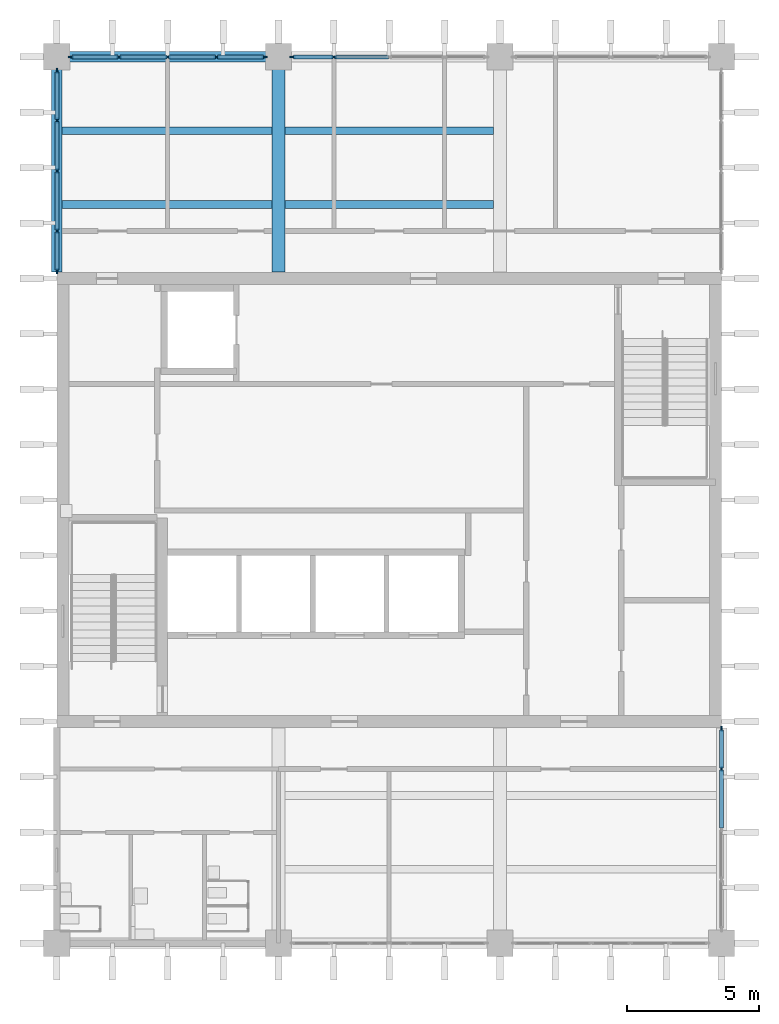
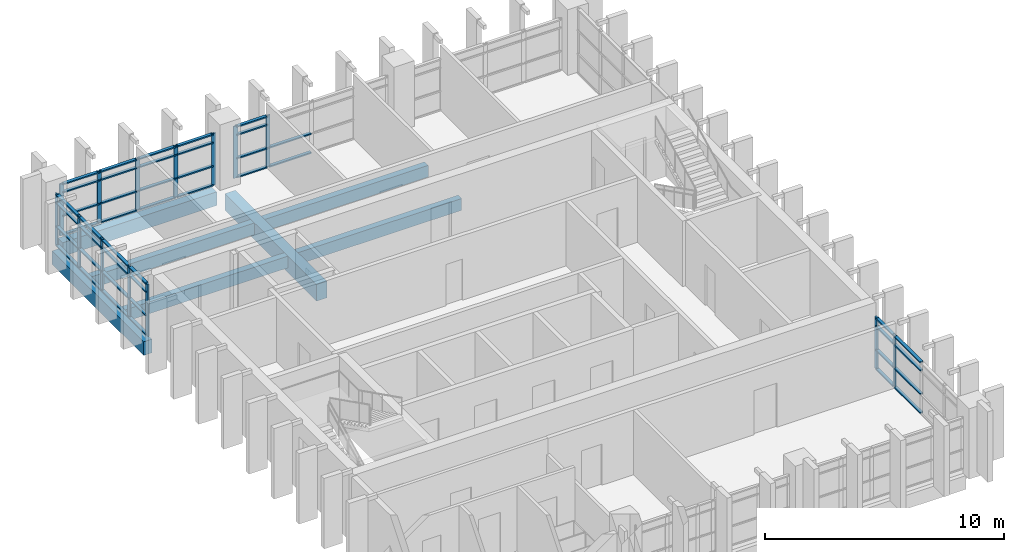
# One storey, part 3 of 11: 60 members, 7 beams, 4 elements without a shape of their own.
"""IFC4 building model written with IfcOpenShell, lengths in metres."""

from ifc_helpers import new_model, si_unit, direction, frame, origin, origin_2d, place, context, subcontext, project, spatial, rectangle, extrude, material, layer, layer_set, material_profile, profile_set, type_object, element, aggregate, save


model = new_model("IFC4")

# Units and contexts
model_context = context("Model", 3, precision=1e-05, world=origin(), true_north=direction((0.0, 1.0)))
body_context = subcontext(model_context, "Body", "Model", "MODEL_VIEW")
ifc_project = project(units=[si_unit("LENGTHUNIT", "METRE"), si_unit("AREAUNIT", "SQUARE_METRE"), si_unit("VOLUMEUNIT", "CUBIC_METRE"), si_unit("PLANEANGLEUNIT", "RADIAN"), si_unit("MASSUNIT", "GRAM", prefix="KILO")], contexts=[model_context])

# Site, building, storey
site_placement = place(None, origin())
site = spatial("IfcSite", under=ifc_project, at=site_placement, CompositionType="ELEMENT")
building_placement = place(site_placement, origin())
building = spatial("IfcBuilding", under=site, at=building_placement, Name="Rulbaag Community and Learning Centre", CompositionType="ELEMENT")
storey_placement = place(building_placement, frame((0.0, 0.0, 18.0)))
storey = spatial("IfcBuildingStorey", under=building, at=storey_placement, Name="L04", CompositionType="ELEMENT", Elevation=18.0)

# Beams
ifc_material_1 = material(Name="Concrete M40", Category="concrete")
ifc_material_profile_1 = material_profile(ifc_material_1, rectangle(XDim=0.39990234375, YDim=0.699951171875, at=origin_2d()), Name="RB400x700")
ifc_profile_set_1 = profile_set([ifc_material_profile_1], Name="Concrete M40")
beam_type_1 = type_object("IfcBeamType", Name="B17 Tower edge beam, lower zone 400x700 Concrete M40", PredefinedType="BEAM", material=ifc_profile_set_1)
beam_1_placement = place(storey_placement, frame((142.800048828125, 109.449951171875, -0.60009765625), z_axis=(0.0, 1.0, 0.0), x_axis=(-1.0, 0.0, 0.0)))
element("IfcBeam", 1, at=beam_1_placement, inside=storey, type_object=beam_type_1, Name="BM-L04-18N-18O", PredefinedType="BEAM", context=body_context, shape_type="SweptSolid", body=[
    extrude(rectangle(XDim=0.39990234375, YDim=0.699951171875, at=origin_2d()), origin(), (0.0, 0.0, 1.0), 7.670166015625),
])
beam_2_placement = place(storey_placement, frame((143.280029296875, 117.60009765625, -0.60009765625), z_axis=(1.0, 0.0, 0.0), x_axis=(0.0, 1.0, 0.0)))
element("IfcBeam", 2, at=beam_2_placement, inside=storey, type_object=beam_type_1, Name="BM-L04-18O-19O", PredefinedType="BEAM", context=body_context, shape_type="SweptSolid", body=[
    extrude(rectangle(XDim=0.39990234375, YDim=0.699951171875, at=origin_2d()), origin(), (0.0, 0.0, 1.0), 7.43994140625),
])
ifc_material_profile_2 = material_profile(ifc_material_1, rectangle(XDim=0.5, YDim=0.85009765625, at=origin_2d()), Name="RB500x850")
ifc_profile_set_2 = profile_set([ifc_material_profile_2], Name="Concrete M40")
beam_type_2 = type_object("IfcBeamType", Name="B18 Core-framing beam, lower zone 500x850 Concrete M40", PredefinedType="BEAM", material=ifc_profile_set_2)
beam_3_placement = place(storey_placement, frame((151.199951171875, 109.449951171875, -0.675048828125), z_axis=(0.0, 1.0, 0.0), x_axis=(-1.0, 0.0, 0.0)))
element("IfcBeam", 3, at=beam_3_placement, inside=storey, type_object=beam_type_2, Name="BM-L04-19N-19O", PredefinedType="BEAM", context=body_context, shape_type="SweptSolid", body=[
    extrude(rectangle(XDim=0.5, YDim=0.85009765625, at=origin_2d()), origin(), (0.0, 0.0, 1.0), 7.670166015625),
])
ifc_material_profile_3 = material_profile(ifc_material_1, rectangle(XDim=0.300048828125, YDim=0.60009765625, at=origin_2d()), Name="RB300x600")
ifc_profile_set_3 = profile_set([ifc_material_profile_3], Name="Concrete M40")
beam_type_3 = type_object("IfcBeamType", Name="B30 Secondary joist 300x600 Concrete M40", PredefinedType="BEAM", material=ifc_profile_set_3)
for number, where, z_axis, x_axis, name in (
    (4, (143.0, 112.0, -0.550048828125), (1.0, 0.0, 0.0), (0.0, 1.0, 0.0), "BM-JS-L04-18N-1"),
    (5, (143.0, 114.800048828125, -0.550048828125), (1.0, 0.0, 0.0), (0.0, 1.0, 0.0), "BM-JS-L04-18N-2"),
):
    element("IfcBeam", number, at=place(storey_placement, frame(where, z_axis=z_axis, x_axis=x_axis)), inside=storey, type_object=beam_type_3, Name=name, PredefinedType="BEAM", context=body_context, shape_type="SweptSolid", body=[
        extrude(rectangle(XDim=0.300048828125, YDim=0.60009765625, at=origin_2d()), origin(), (0.0, 0.0, 1.0), 7.949951171875),
    ])
for number, where, z_axis, x_axis, name in (
    (6, (151.449951171875, 112.0, -0.550048828125), (1.0, 0.0, 0.0), (0.0, 1.0, 0.0), "BM-JS-L04-19N-1"),
    (7, (151.449951171875, 114.800048828125, -0.550048828125), (1.0, 0.0, 0.0), (0.0, 1.0, 0.0), "BM-JS-L04-19N-2"),
):
    element("IfcBeam", number, at=place(storey_placement, frame(where, z_axis=z_axis, x_axis=x_axis)), inside=storey, type_object=beam_type_3, Name=name, PredefinedType="BEAM", context=body_context, shape_type="SweptSolid", body=[
        extrude(rectangle(XDim=0.300048828125, YDim=0.60009765625, at=origin_2d()), origin(), (0.0, 0.0, 1.0), 7.900146484375),
    ])

# Curtain wall, members
ifc_material_2 = material(Name="Aluminium", Category="aluminium")
ifc_layer = layer(ifc_material_2, 0.14990234375)
ifc_layer_set = layer_set([ifc_layer], Name="CW-T")
curtain_wall_type = type_object("IfcCurtainWallType", Name="CW-T", PredefinedType="USERDEFINED", material=ifc_layer_set)
curtain_wall_1_placement = place(storey_placement, origin())
curtain_wall_1 = element("IfcCurtainWall", 8, at=curtain_wall_1_placement, inside=storey, type_object=curtain_wall_type, Name="GT-L04-01", ObjectType="UNITISED CURTAIN WALL", PredefinedType="USERDEFINED")
ifc_material_3 = material(Name="Aluminium mullion", Category="aluminium")
ifc_material_profile_4 = material_profile(ifc_material_3, rectangle(XDim=0.06494140625, YDim=0.199951171875, at=origin_2d()), Name="AL 65x200")
ifc_profile_set_4 = profile_set([ifc_material_profile_4], Name="Aluminium mullion")
member_type_1 = type_object("IfcMemberType", Name="CW-T-MUL", PredefinedType="MULLION", material=ifc_profile_set_4)
member_1_placement = place(storey_placement, frame((143.33251953125, 117.60009765625, 0.0), z_axis=(0.0, 0.0, 1.0), x_axis=(0.0, 1.0, 0.0)))
member_1 = element("IfcMember", 9, at=member_1_placement, type_object=member_type_1, Name="GT mullion 1", PredefinedType="MULLION", context=body_context, shape_type="SweptSolid", body=[
    extrude(rectangle(XDim=0.06494140625, YDim=0.199951171875, at=origin_2d()), origin(), (0.0, 0.0, 1.0), 2.64990234375),
])
member_2_placement = place(storey_placement, frame((145.14990234375, 117.60009765625, 0.0), z_axis=(0.0, 0.0, 1.0), x_axis=(0.0, 1.0, 0.0)))
member_2 = element("IfcMember", 10, at=member_2_placement, type_object=member_type_1, Name="GT mullion 2", PredefinedType="MULLION", context=body_context, shape_type="SweptSolid", body=[
    extrude(rectangle(XDim=0.06494140625, YDim=0.199951171875, at=origin_2d()), origin(), (0.0, 0.0, 1.0), 2.64990234375),
])
member_3_placement = place(storey_placement, frame((147.0, 117.60009765625, 0.0), z_axis=(0.0, 0.0, 1.0), x_axis=(0.0, 1.0, 0.0)))
member_3 = element("IfcMember", 11, at=member_3_placement, type_object=member_type_1, Name="GT mullion 3", PredefinedType="MULLION", context=body_context, shape_type="SweptSolid", body=[
    extrude(rectangle(XDim=0.06494140625, YDim=0.199951171875, at=origin_2d()), origin(), (0.0, 0.0, 1.0), 2.64990234375),
])
member_4_placement = place(storey_placement, frame((148.85009765625, 117.60009765625, 0.0), z_axis=(0.0, 0.0, 1.0), x_axis=(0.0, 1.0, 0.0)))
member_4 = element("IfcMember", 12, at=member_4_placement, type_object=member_type_1, Name="GT mullion 4", PredefinedType="MULLION", context=body_context, shape_type="SweptSolid", body=[
    extrude(rectangle(XDim=0.06494140625, YDim=0.199951171875, at=origin_2d()), origin(), (0.0, 0.0, 1.0), 2.64990234375),
])
member_5_placement = place(storey_placement, frame((150.66748046875, 117.60009765625, 0.0), z_axis=(0.0, 0.0, 1.0), x_axis=(0.0, 1.0, 0.0)))
member_5 = element("IfcMember", 13, at=member_5_placement, type_object=member_type_1, Name="GT mullion 5", PredefinedType="MULLION", context=body_context, shape_type="SweptSolid", body=[
    extrude(rectangle(XDim=0.06494140625, YDim=0.199951171875, at=origin_2d()), origin(), (0.0, 0.0, 1.0), 2.64990234375),
])

curtain_wall_2_placement = place(storey_placement, origin())
curtain_wall_2 = element("IfcCurtainWall", 14, at=curtain_wall_2_placement, inside=storey, type_object=curtain_wall_type, Name="GT-L04-02", ObjectType="UNITISED CURTAIN WALL", PredefinedType="USERDEFINED")
member_6_placement = place(storey_placement, frame((151.732421875, 117.60009765625, 0.0), z_axis=(0.0, 0.0, 1.0), x_axis=(0.0, 1.0, 0.0)))
member_6 = element("IfcMember", 15, at=member_6_placement, type_object=member_type_1, Name="GT mullion 1", PredefinedType="MULLION", context=body_context, shape_type="SweptSolid", body=[
    extrude(rectangle(XDim=0.06494140625, YDim=0.199951171875, at=origin_2d()), origin(), (0.0, 0.0, 1.0), 2.64990234375),
])
member_7_placement = place(storey_placement, frame((153.300048828125, 117.60009765625, 0.0), z_axis=(0.0, 0.0, 1.0), x_axis=(0.0, 1.0, 0.0)))
member_7 = element("IfcMember", 16, at=member_7_placement, type_object=member_type_1, Name="GT mullion 2", PredefinedType="MULLION", context=body_context, shape_type="SweptSolid", body=[
    extrude(rectangle(XDim=0.06494140625, YDim=0.199951171875, at=origin_2d()), origin(), (0.0, 0.0, 1.0), 2.64990234375),
])

curtain_wall_3_placement = place(storey_placement, origin())
curtain_wall_3 = element("IfcCurtainWall", 17, at=curtain_wall_3_placement, inside=storey, type_object=curtain_wall_type, Name="GT-L04-04", ObjectType="UNITISED CURTAIN WALL", PredefinedType="USERDEFINED")
member_8_placement = place(storey_placement, frame((142.800048828125, 109.482421875, 0.0), z_axis=(0.0, 0.0, 1.0), x_axis=(-1.0, 0.0, 0.0)))
member_8 = element("IfcMember", 18, at=member_8_placement, type_object=member_type_1, Name="GT mullion 1", PredefinedType="MULLION", context=body_context, shape_type="SweptSolid", body=[
    extrude(rectangle(XDim=0.06494140625, YDim=0.199951171875, at=origin_2d()), origin(), (0.0, 0.0, 1.0), 2.64990234375),
])
member_9_placement = place(storey_placement, frame((142.800048828125, 111.0, 0.0), z_axis=(0.0, 0.0, 1.0), x_axis=(-1.0, 0.0, 0.0)))
member_9 = element("IfcMember", 19, at=member_9_placement, type_object=member_type_1, Name="GT mullion 2", PredefinedType="MULLION", context=body_context, shape_type="SweptSolid", body=[
    extrude(rectangle(XDim=0.06494140625, YDim=0.199951171875, at=origin_2d()), origin(), (0.0, 0.0, 1.0), 2.64990234375),
])
member_10_placement = place(storey_placement, frame((142.800048828125, 113.27490234375, 0.0), z_axis=(0.0, 0.0, 1.0), x_axis=(-1.0, 0.0, 0.0)))
member_10 = element("IfcMember", 20, at=member_10_placement, type_object=member_type_1, Name="GT mullion 3", PredefinedType="MULLION", context=body_context, shape_type="SweptSolid", body=[
    extrude(rectangle(XDim=0.06494140625, YDim=0.199951171875, at=origin_2d()), origin(), (0.0, 0.0, 1.0), 2.64990234375),
])
member_11_placement = place(storey_placement, frame((142.800048828125, 115.1875, 0.0), z_axis=(0.0, 0.0, 1.0), x_axis=(-1.0, 0.0, 0.0)))
member_11 = element("IfcMember", 21, at=member_11_placement, type_object=member_type_1, Name="GT mullion 4", PredefinedType="MULLION", context=body_context, shape_type="SweptSolid", body=[
    extrude(rectangle(XDim=0.06494140625, YDim=0.199951171875, at=origin_2d()), origin(), (0.0, 0.0, 1.0), 2.64990234375),
])
member_12_placement = place(storey_placement, frame((142.800048828125, 117.0673828125, 0.0), z_axis=(0.0, 0.0, 1.0), x_axis=(-1.0, 0.0, 0.0)))
member_12 = element("IfcMember", 22, at=member_12_placement, type_object=member_type_1, Name="GT mullion 5", PredefinedType="MULLION", context=body_context, shape_type="SweptSolid", body=[
    extrude(rectangle(XDim=0.06494140625, YDim=0.199951171875, at=origin_2d()), origin(), (0.0, 0.0, 1.0), 2.64990234375),
])

curtain_wall_4_placement = place(storey_placement, origin())
curtain_wall_4 = element("IfcCurtainWall", 23, at=curtain_wall_4_placement, inside=storey, type_object=curtain_wall_type, Name="GT-L04-05", ObjectType="UNITISED CURTAIN WALL", PredefinedType="USERDEFINED")
member_13_placement = place(storey_placement, frame((168.0, 90.60009765625, 0.0), z_axis=(0.0, 0.0, 1.0), x_axis=(-1.0, 0.0, 0.0)))
member_13 = element("IfcMember", 24, at=member_13_placement, type_object=member_type_1, Name="GT mullion 4", PredefinedType="MULLION", context=body_context, shape_type="SweptSolid", body=[
    extrude(rectangle(XDim=0.06494140625, YDim=0.199951171875, at=origin_2d()), origin(), (0.0, 0.0, 1.0), 2.64990234375),
])
member_14_placement = place(storey_placement, frame((168.0, 92.117431640625, 0.0), z_axis=(0.0, 0.0, 1.0), x_axis=(-1.0, 0.0, 0.0)))
member_14 = element("IfcMember", 25, at=member_14_placement, type_object=member_type_1, Name="GT mullion 5", PredefinedType="MULLION", context=body_context, shape_type="SweptSolid", body=[
    extrude(rectangle(XDim=0.06494140625, YDim=0.199951171875, at=origin_2d()), origin(), (0.0, 0.0, 1.0), 2.64990234375),
])

# Member
ifc_material_4 = material(Name="Aluminium transom", Category="aluminium")
ifc_material_profile_5 = material_profile(ifc_material_4, rectangle(XDim=0.14990234375, YDim=0.06494140625, at=origin_2d()), Name="AL 65x150 T")
ifc_profile_set_5 = profile_set([ifc_material_profile_5], Name="Aluminium transom")
member_type_2 = type_object("IfcMemberType", Name="CW-T-TRN", PredefinedType="USERDEFINED", material=ifc_profile_set_5)
member_15_placement = place(storey_placement, frame((143.364990234375, 117.60009765625, 0.032470703125), z_axis=(1.0, 0.0, 0.0), x_axis=(0.0, 1.0, 0.0)))
member_15 = element("IfcMember", 26, at=member_15_placement, type_object=member_type_2, Name="GT transom 1.1", ObjectType="TRANSOM", PredefinedType="USERDEFINED", context=body_context, shape_type="SweptSolid", body=[
    extrude(rectangle(XDim=0.14990234375, YDim=0.06494140625, at=origin_2d()), origin(), (0.0, 0.0, 1.0), 1.75244140625),
])

member_16_placement = place(storey_placement, frame((143.364990234375, 117.60009765625, 1.0), z_axis=(1.0, 0.0, 0.0), x_axis=(0.0, 1.0, 0.0)))
member_16 = element("IfcMember", 27, at=member_16_placement, type_object=member_type_2, Name="GT transom 1.2", ObjectType="TRANSOM", PredefinedType="USERDEFINED", context=body_context, shape_type="SweptSolid", body=[
    extrude(rectangle(XDim=0.14990234375, YDim=0.06494140625, at=origin_2d()), origin(), (0.0, 0.0, 1.0), 1.75244140625),
])

member_17_placement = place(storey_placement, frame((143.364990234375, 117.60009765625, 2.199951171875), z_axis=(1.0, 0.0, 0.0), x_axis=(0.0, 1.0, 0.0)))
member_17 = element("IfcMember", 28, at=member_17_placement, type_object=member_type_2, Name="GT transom 1.3", ObjectType="TRANSOM", PredefinedType="USERDEFINED", context=body_context, shape_type="SweptSolid", body=[
    extrude(rectangle(XDim=0.14990234375, YDim=0.06494140625, at=origin_2d()), origin(), (0.0, 0.0, 1.0), 1.75244140625),
])

member_18_placement = place(storey_placement, frame((143.364990234375, 117.60009765625, 2.617431640625), z_axis=(1.0, 0.0, 0.0), x_axis=(0.0, 1.0, 0.0)))
member_18 = element("IfcMember", 29, at=member_18_placement, type_object=member_type_2, Name="GT transom 1.4", ObjectType="TRANSOM", PredefinedType="USERDEFINED", context=body_context, shape_type="SweptSolid", body=[
    extrude(rectangle(XDim=0.14990234375, YDim=0.06494140625, at=origin_2d()), origin(), (0.0, 0.0, 1.0), 1.75244140625),
])

member_19_placement = place(storey_placement, frame((145.1826171875, 117.60009765625, 0.032470703125), z_axis=(1.0, 0.0, 0.0), x_axis=(0.0, 1.0, 0.0)))
member_19 = element("IfcMember", 30, at=member_19_placement, type_object=member_type_2, Name="GT transom 2.1", ObjectType="TRANSOM", PredefinedType="USERDEFINED", context=body_context, shape_type="SweptSolid", body=[
    extrude(rectangle(XDim=0.14990234375, YDim=0.06494140625, at=origin_2d()), origin(), (0.0, 0.0, 1.0), 1.784912109375),
])

member_20_placement = place(storey_placement, frame((145.1826171875, 117.60009765625, 1.0), z_axis=(1.0, 0.0, 0.0), x_axis=(0.0, 1.0, 0.0)))
member_20 = element("IfcMember", 31, at=member_20_placement, type_object=member_type_2, Name="GT transom 2.2", ObjectType="TRANSOM", PredefinedType="USERDEFINED", context=body_context, shape_type="SweptSolid", body=[
    extrude(rectangle(XDim=0.14990234375, YDim=0.06494140625, at=origin_2d()), origin(), (0.0, 0.0, 1.0), 1.784912109375),
])

member_21_placement = place(storey_placement, frame((145.1826171875, 117.60009765625, 2.199951171875), z_axis=(1.0, 0.0, 0.0), x_axis=(0.0, 1.0, 0.0)))
member_21 = element("IfcMember", 32, at=member_21_placement, type_object=member_type_2, Name="GT transom 2.3", ObjectType="TRANSOM", PredefinedType="USERDEFINED", context=body_context, shape_type="SweptSolid", body=[
    extrude(rectangle(XDim=0.14990234375, YDim=0.06494140625, at=origin_2d()), origin(), (0.0, 0.0, 1.0), 1.784912109375),
])

member_22_placement = place(storey_placement, frame((145.1826171875, 117.60009765625, 2.617431640625), z_axis=(1.0, 0.0, 0.0), x_axis=(0.0, 1.0, 0.0)))
member_22 = element("IfcMember", 33, at=member_22_placement, type_object=member_type_2, Name="GT transom 2.4", ObjectType="TRANSOM", PredefinedType="USERDEFINED", context=body_context, shape_type="SweptSolid", body=[
    extrude(rectangle(XDim=0.14990234375, YDim=0.06494140625, at=origin_2d()), origin(), (0.0, 0.0, 1.0), 1.784912109375),
])

member_23_placement = place(storey_placement, frame((147.032470703125, 117.60009765625, 0.032470703125), z_axis=(1.0, 0.0, 0.0), x_axis=(0.0, 1.0, 0.0)))
member_23 = element("IfcMember", 34, at=member_23_placement, type_object=member_type_2, Name="GT transom 3.1", ObjectType="TRANSOM", PredefinedType="USERDEFINED", context=body_context, shape_type="SweptSolid", body=[
    extrude(rectangle(XDim=0.14990234375, YDim=0.06494140625, at=origin_2d()), origin(), (0.0, 0.0, 1.0), 1.784912109375),
])

member_24_placement = place(storey_placement, frame((147.032470703125, 117.60009765625, 1.0), z_axis=(1.0, 0.0, 0.0), x_axis=(0.0, 1.0, 0.0)))
member_24 = element("IfcMember", 35, at=member_24_placement, type_object=member_type_2, Name="GT transom 3.2", ObjectType="TRANSOM", PredefinedType="USERDEFINED", context=body_context, shape_type="SweptSolid", body=[
    extrude(rectangle(XDim=0.14990234375, YDim=0.06494140625, at=origin_2d()), origin(), (0.0, 0.0, 1.0), 1.784912109375),
])

member_25_placement = place(storey_placement, frame((147.032470703125, 117.60009765625, 2.199951171875), z_axis=(1.0, 0.0, 0.0), x_axis=(0.0, 1.0, 0.0)))
member_25 = element("IfcMember", 36, at=member_25_placement, type_object=member_type_2, Name="GT transom 3.3", ObjectType="TRANSOM", PredefinedType="USERDEFINED", context=body_context, shape_type="SweptSolid", body=[
    extrude(rectangle(XDim=0.14990234375, YDim=0.06494140625, at=origin_2d()), origin(), (0.0, 0.0, 1.0), 1.784912109375),
])

member_26_placement = place(storey_placement, frame((147.032470703125, 117.60009765625, 2.617431640625), z_axis=(1.0, 0.0, 0.0), x_axis=(0.0, 1.0, 0.0)))
member_26 = element("IfcMember", 37, at=member_26_placement, type_object=member_type_2, Name="GT transom 3.4", ObjectType="TRANSOM", PredefinedType="USERDEFINED", context=body_context, shape_type="SweptSolid", body=[
    extrude(rectangle(XDim=0.14990234375, YDim=0.06494140625, at=origin_2d()), origin(), (0.0, 0.0, 1.0), 1.784912109375),
])

member_27_placement = place(storey_placement, frame((148.882568359375, 117.60009765625, 0.032470703125), z_axis=(1.0, 0.0, 0.0), x_axis=(0.0, 1.0, 0.0)))
member_27 = element("IfcMember", 38, at=member_27_placement, type_object=member_type_2, Name="GT transom 4.1", ObjectType="TRANSOM", PredefinedType="USERDEFINED", context=body_context, shape_type="SweptSolid", body=[
    extrude(rectangle(XDim=0.14990234375, YDim=0.06494140625, at=origin_2d()), origin(), (0.0, 0.0, 1.0), 1.75244140625),
])

member_28_placement = place(storey_placement, frame((148.882568359375, 117.60009765625, 1.0), z_axis=(1.0, 0.0, 0.0), x_axis=(0.0, 1.0, 0.0)))
member_28 = element("IfcMember", 39, at=member_28_placement, type_object=member_type_2, Name="GT transom 4.2", ObjectType="TRANSOM", PredefinedType="USERDEFINED", context=body_context, shape_type="SweptSolid", body=[
    extrude(rectangle(XDim=0.14990234375, YDim=0.06494140625, at=origin_2d()), origin(), (0.0, 0.0, 1.0), 1.75244140625),
])

member_29_placement = place(storey_placement, frame((148.882568359375, 117.60009765625, 2.199951171875), z_axis=(1.0, 0.0, 0.0), x_axis=(0.0, 1.0, 0.0)))
member_29 = element("IfcMember", 40, at=member_29_placement, type_object=member_type_2, Name="GT transom 4.3", ObjectType="TRANSOM", PredefinedType="USERDEFINED", context=body_context, shape_type="SweptSolid", body=[
    extrude(rectangle(XDim=0.14990234375, YDim=0.06494140625, at=origin_2d()), origin(), (0.0, 0.0, 1.0), 1.75244140625),
])

member_30_placement = place(storey_placement, frame((148.882568359375, 117.60009765625, 2.617431640625), z_axis=(1.0, 0.0, 0.0), x_axis=(0.0, 1.0, 0.0)))
member_30 = element("IfcMember", 41, at=member_30_placement, type_object=member_type_2, Name="GT transom 4.4", ObjectType="TRANSOM", PredefinedType="USERDEFINED", context=body_context, shape_type="SweptSolid", body=[
    extrude(rectangle(XDim=0.14990234375, YDim=0.06494140625, at=origin_2d()), origin(), (0.0, 0.0, 1.0), 1.75244140625),
])

aggregate(curtain_wall_1, [member_1, member_2, member_3, member_4, member_5, member_15, member_16, member_17, member_18, member_19, member_20, member_21, member_22, member_23, member_24, member_25, member_26, member_27, member_28, member_29, member_30])

member_31_placement = place(storey_placement, frame((151.764892578125, 117.60009765625, 0.032470703125), z_axis=(1.0, 0.0, 0.0), x_axis=(0.0, 1.0, 0.0)))
member_31 = element("IfcMember", 42, at=member_31_placement, type_object=member_type_2, Name="GT transom 1.1", ObjectType="TRANSOM", PredefinedType="USERDEFINED", context=body_context, shape_type="SweptSolid", body=[
    extrude(rectangle(XDim=0.14990234375, YDim=0.06494140625, at=origin_2d()), origin(), (0.0, 0.0, 1.0), 1.502685546875),
])

member_32_placement = place(storey_placement, frame((151.764892578125, 117.60009765625, 1.0), z_axis=(1.0, 0.0, 0.0), x_axis=(0.0, 1.0, 0.0)))
member_32 = element("IfcMember", 43, at=member_32_placement, type_object=member_type_2, Name="GT transom 1.2", ObjectType="TRANSOM", PredefinedType="USERDEFINED", context=body_context, shape_type="SweptSolid", body=[
    extrude(rectangle(XDim=0.14990234375, YDim=0.06494140625, at=origin_2d()), origin(), (0.0, 0.0, 1.0), 1.502685546875),
])

member_33_placement = place(storey_placement, frame((151.764892578125, 117.60009765625, 2.199951171875), z_axis=(1.0, 0.0, 0.0), x_axis=(0.0, 1.0, 0.0)))
member_33 = element("IfcMember", 44, at=member_33_placement, type_object=member_type_2, Name="GT transom 1.3", ObjectType="TRANSOM", PredefinedType="USERDEFINED", context=body_context, shape_type="SweptSolid", body=[
    extrude(rectangle(XDim=0.14990234375, YDim=0.06494140625, at=origin_2d()), origin(), (0.0, 0.0, 1.0), 1.502685546875),
])

member_34_placement = place(storey_placement, frame((151.764892578125, 117.60009765625, 2.617431640625), z_axis=(1.0, 0.0, 0.0), x_axis=(0.0, 1.0, 0.0)))
member_34 = element("IfcMember", 45, at=member_34_placement, type_object=member_type_2, Name="GT transom 1.4", ObjectType="TRANSOM", PredefinedType="USERDEFINED", context=body_context, shape_type="SweptSolid", body=[
    extrude(rectangle(XDim=0.14990234375, YDim=0.06494140625, at=origin_2d()), origin(), (0.0, 0.0, 1.0), 1.502685546875),
])

member_35_placement = place(storey_placement, frame((153.33251953125, 117.60009765625, 0.032470703125), z_axis=(1.0, 0.0, 0.0), x_axis=(0.0, 1.0, 0.0)))
member_35 = element("IfcMember", 46, at=member_35_placement, type_object=member_type_2, Name="GT transom 2.1", ObjectType="TRANSOM", PredefinedType="USERDEFINED", context=body_context, shape_type="SweptSolid", body=[
    extrude(rectangle(XDim=0.14990234375, YDim=0.06494140625, at=origin_2d()), origin(), (0.0, 0.0, 1.0), 2.034912109375),
])

member_36_placement = place(storey_placement, frame((153.33251953125, 117.60009765625, 1.0), z_axis=(1.0, 0.0, 0.0), x_axis=(0.0, 1.0, 0.0)))
member_36 = element("IfcMember", 47, at=member_36_placement, type_object=member_type_2, Name="GT transom 2.2", ObjectType="TRANSOM", PredefinedType="USERDEFINED", context=body_context, shape_type="SweptSolid", body=[
    extrude(rectangle(XDim=0.14990234375, YDim=0.06494140625, at=origin_2d()), origin(), (0.0, 0.0, 1.0), 2.034912109375),
])

aggregate(curtain_wall_2, [member_6, member_7, member_31, member_32, member_33, member_34, member_35, member_36])

member_37_placement = place(storey_placement, frame((142.800048828125, 109.514892578125, 0.032470703125), z_axis=(0.0, 1.0, 0.0), x_axis=(-1.0, 0.0, 0.0)))
member_37 = element("IfcMember", 48, at=member_37_placement, type_object=member_type_2, Name="GT transom 1.1", ObjectType="TRANSOM", PredefinedType="USERDEFINED", context=body_context, shape_type="SweptSolid", body=[
    extrude(rectangle(XDim=0.14990234375, YDim=0.06494140625, at=origin_2d()), origin(), (0.0, 0.0, 1.0), 1.45263671875),
])

member_38_placement = place(storey_placement, frame((142.800048828125, 109.514892578125, 1.0), z_axis=(0.0, 1.0, 0.0), x_axis=(-1.0, 0.0, 0.0)))
member_38 = element("IfcMember", 49, at=member_38_placement, type_object=member_type_2, Name="GT transom 1.2", ObjectType="TRANSOM", PredefinedType="USERDEFINED", context=body_context, shape_type="SweptSolid", body=[
    extrude(rectangle(XDim=0.14990234375, YDim=0.06494140625, at=origin_2d()), origin(), (0.0, 0.0, 1.0), 1.45263671875),
])

member_39_placement = place(storey_placement, frame((142.800048828125, 109.514892578125, 2.199951171875), z_axis=(0.0, 1.0, 0.0), x_axis=(-1.0, 0.0, 0.0)))
member_39 = element("IfcMember", 50, at=member_39_placement, type_object=member_type_2, Name="GT transom 1.3", ObjectType="TRANSOM", PredefinedType="USERDEFINED", context=body_context, shape_type="SweptSolid", body=[
    extrude(rectangle(XDim=0.14990234375, YDim=0.06494140625, at=origin_2d()), origin(), (0.0, 0.0, 1.0), 1.45263671875),
])

member_40_placement = place(storey_placement, frame((142.800048828125, 109.514892578125, 2.617431640625), z_axis=(0.0, 1.0, 0.0), x_axis=(-1.0, 0.0, 0.0)))
member_40 = element("IfcMember", 51, at=member_40_placement, type_object=member_type_2, Name="GT transom 1.4", ObjectType="TRANSOM", PredefinedType="USERDEFINED", context=body_context, shape_type="SweptSolid", body=[
    extrude(rectangle(XDim=0.14990234375, YDim=0.06494140625, at=origin_2d()), origin(), (0.0, 0.0, 1.0), 1.45263671875),
])

member_41_placement = place(storey_placement, frame((142.800048828125, 111.032470703125, 0.032470703125), z_axis=(0.0, 1.0, 0.0), x_axis=(-1.0, 0.0, 0.0)))
member_41 = element("IfcMember", 52, at=member_41_placement, type_object=member_type_2, Name="GT transom 2.1", ObjectType="TRANSOM", PredefinedType="USERDEFINED", context=body_context, shape_type="SweptSolid", body=[
    extrude(rectangle(XDim=0.14990234375, YDim=0.06494140625, at=origin_2d()), origin(), (0.0, 0.0, 1.0), 2.2099609375),
])

member_42_placement = place(storey_placement, frame((142.800048828125, 111.032470703125, 1.0), z_axis=(0.0, 1.0, 0.0), x_axis=(-1.0, 0.0, 0.0)))
member_42 = element("IfcMember", 53, at=member_42_placement, type_object=member_type_2, Name="GT transom 2.2", ObjectType="TRANSOM", PredefinedType="USERDEFINED", context=body_context, shape_type="SweptSolid", body=[
    extrude(rectangle(XDim=0.14990234375, YDim=0.06494140625, at=origin_2d()), origin(), (0.0, 0.0, 1.0), 2.2099609375),
])

member_43_placement = place(storey_placement, frame((142.800048828125, 111.032470703125, 2.199951171875), z_axis=(0.0, 1.0, 0.0), x_axis=(-1.0, 0.0, 0.0)))
member_43 = element("IfcMember", 54, at=member_43_placement, type_object=member_type_2, Name="GT transom 2.3", ObjectType="TRANSOM", PredefinedType="USERDEFINED", context=body_context, shape_type="SweptSolid", body=[
    extrude(rectangle(XDim=0.14990234375, YDim=0.06494140625, at=origin_2d()), origin(), (0.0, 0.0, 1.0), 2.2099609375),
])

member_44_placement = place(storey_placement, frame((142.800048828125, 111.032470703125, 2.617431640625), z_axis=(0.0, 1.0, 0.0), x_axis=(-1.0, 0.0, 0.0)))
member_44 = element("IfcMember", 55, at=member_44_placement, type_object=member_type_2, Name="GT transom 2.4", ObjectType="TRANSOM", PredefinedType="USERDEFINED", context=body_context, shape_type="SweptSolid", body=[
    extrude(rectangle(XDim=0.14990234375, YDim=0.06494140625, at=origin_2d()), origin(), (0.0, 0.0, 1.0), 2.2099609375),
])

member_45_placement = place(storey_placement, frame((142.800048828125, 113.3076171875, 0.032470703125), z_axis=(0.0, 1.0, 0.0), x_axis=(-1.0, 0.0, 0.0)))
member_45 = element("IfcMember", 56, at=member_45_placement, type_object=member_type_2, Name="GT transom 3.1", ObjectType="TRANSOM", PredefinedType="USERDEFINED", context=body_context, shape_type="SweptSolid", body=[
    extrude(rectangle(XDim=0.14990234375, YDim=0.06494140625, at=origin_2d()), origin(), (0.0, 0.0, 1.0), 1.847412109375),
])

member_46_placement = place(storey_placement, frame((142.800048828125, 113.3076171875, 1.0), z_axis=(0.0, 1.0, 0.0), x_axis=(-1.0, 0.0, 0.0)))
member_46 = element("IfcMember", 57, at=member_46_placement, type_object=member_type_2, Name="GT transom 3.2", ObjectType="TRANSOM", PredefinedType="USERDEFINED", context=body_context, shape_type="SweptSolid", body=[
    extrude(rectangle(XDim=0.14990234375, YDim=0.06494140625, at=origin_2d()), origin(), (0.0, 0.0, 1.0), 1.847412109375),
])

member_47_placement = place(storey_placement, frame((142.800048828125, 113.3076171875, 2.199951171875), z_axis=(0.0, 1.0, 0.0), x_axis=(-1.0, 0.0, 0.0)))
member_47 = element("IfcMember", 58, at=member_47_placement, type_object=member_type_2, Name="GT transom 3.3", ObjectType="TRANSOM", PredefinedType="USERDEFINED", context=body_context, shape_type="SweptSolid", body=[
    extrude(rectangle(XDim=0.14990234375, YDim=0.06494140625, at=origin_2d()), origin(), (0.0, 0.0, 1.0), 1.847412109375),
])

member_48_placement = place(storey_placement, frame((142.800048828125, 113.3076171875, 2.617431640625), z_axis=(0.0, 1.0, 0.0), x_axis=(-1.0, 0.0, 0.0)))
member_48 = element("IfcMember", 59, at=member_48_placement, type_object=member_type_2, Name="GT transom 3.4", ObjectType="TRANSOM", PredefinedType="USERDEFINED", context=body_context, shape_type="SweptSolid", body=[
    extrude(rectangle(XDim=0.14990234375, YDim=0.06494140625, at=origin_2d()), origin(), (0.0, 0.0, 1.0), 1.847412109375),
])

member_49_placement = place(storey_placement, frame((142.800048828125, 115.219970703125, 0.032470703125), z_axis=(0.0, 1.0, 0.0), x_axis=(-1.0, 0.0, 0.0)))
member_49 = element("IfcMember", 60, at=member_49_placement, type_object=member_type_2, Name="GT transom 4.1", ObjectType="TRANSOM", PredefinedType="USERDEFINED", context=body_context, shape_type="SweptSolid", body=[
    extrude(rectangle(XDim=0.14990234375, YDim=0.06494140625, at=origin_2d()), origin(), (0.0, 0.0, 1.0), 1.81494140625),
])

member_50_placement = place(storey_placement, frame((142.800048828125, 115.219970703125, 1.0), z_axis=(0.0, 1.0, 0.0), x_axis=(-1.0, 0.0, 0.0)))
member_50 = element("IfcMember", 61, at=member_50_placement, type_object=member_type_2, Name="GT transom 4.2", ObjectType="TRANSOM", PredefinedType="USERDEFINED", context=body_context, shape_type="SweptSolid", body=[
    extrude(rectangle(XDim=0.14990234375, YDim=0.06494140625, at=origin_2d()), origin(), (0.0, 0.0, 1.0), 1.81494140625),
])

member_51_placement = place(storey_placement, frame((142.800048828125, 115.219970703125, 2.199951171875), z_axis=(0.0, 1.0, 0.0), x_axis=(-1.0, 0.0, 0.0)))
member_51 = element("IfcMember", 62, at=member_51_placement, type_object=member_type_2, Name="GT transom 4.3", ObjectType="TRANSOM", PredefinedType="USERDEFINED", context=body_context, shape_type="SweptSolid", body=[
    extrude(rectangle(XDim=0.14990234375, YDim=0.06494140625, at=origin_2d()), origin(), (0.0, 0.0, 1.0), 1.81494140625),
])

member_52_placement = place(storey_placement, frame((142.800048828125, 115.219970703125, 2.617431640625), z_axis=(0.0, 1.0, 0.0), x_axis=(-1.0, 0.0, 0.0)))
member_52 = element("IfcMember", 63, at=member_52_placement, type_object=member_type_2, Name="GT transom 4.4", ObjectType="TRANSOM", PredefinedType="USERDEFINED", context=body_context, shape_type="SweptSolid", body=[
    extrude(rectangle(XDim=0.14990234375, YDim=0.06494140625, at=origin_2d()), origin(), (0.0, 0.0, 1.0), 1.81494140625),
])

aggregate(curtain_wall_3, [member_8, member_9, member_10, member_11, member_12, member_37, member_38, member_39, member_40, member_41, member_42, member_43, member_44, member_45, member_46, member_47, member_48, member_49, member_50, member_51, member_52])

member_53_placement = place(storey_placement, frame((168.0, 88.357421875, 0.032470703125), z_axis=(0.0, 1.0, 0.0), x_axis=(-1.0, 0.0, 0.0)))
member_53 = element("IfcMember", 64, at=member_53_placement, type_object=member_type_2, Name="GT transom 3.1", ObjectType="TRANSOM", PredefinedType="USERDEFINED", context=body_context, shape_type="SweptSolid", body=[
    extrude(rectangle(XDim=0.14990234375, YDim=0.06494140625, at=origin_2d()), origin(), (0.0, 0.0, 1.0), 2.2099609375),
])

member_54_placement = place(storey_placement, frame((168.0, 88.357421875, 1.0), z_axis=(0.0, 1.0, 0.0), x_axis=(-1.0, 0.0, 0.0)))
member_54 = element("IfcMember", 65, at=member_54_placement, type_object=member_type_2, Name="GT transom 3.2", ObjectType="TRANSOM", PredefinedType="USERDEFINED", context=body_context, shape_type="SweptSolid", body=[
    extrude(rectangle(XDim=0.14990234375, YDim=0.06494140625, at=origin_2d()), origin(), (0.0, 0.0, 1.0), 2.2099609375),
])

member_55_placement = place(storey_placement, frame((168.0, 88.357421875, 2.199951171875), z_axis=(0.0, 1.0, 0.0), x_axis=(-1.0, 0.0, 0.0)))
member_55 = element("IfcMember", 66, at=member_55_placement, type_object=member_type_2, Name="GT transom 3.3", ObjectType="TRANSOM", PredefinedType="USERDEFINED", context=body_context, shape_type="SweptSolid", body=[
    extrude(rectangle(XDim=0.14990234375, YDim=0.06494140625, at=origin_2d()), origin(), (0.0, 0.0, 1.0), 2.2099609375),
])

member_56_placement = place(storey_placement, frame((168.0, 88.357421875, 2.617431640625), z_axis=(0.0, 1.0, 0.0), x_axis=(-1.0, 0.0, 0.0)))
member_56 = element("IfcMember", 67, at=member_56_placement, type_object=member_type_2, Name="GT transom 3.4", ObjectType="TRANSOM", PredefinedType="USERDEFINED", context=body_context, shape_type="SweptSolid", body=[
    extrude(rectangle(XDim=0.14990234375, YDim=0.06494140625, at=origin_2d()), origin(), (0.0, 0.0, 1.0), 2.2099609375),
])

member_57_placement = place(storey_placement, frame((168.0, 90.632568359375, 0.032470703125), z_axis=(0.0, 1.0, 0.0), x_axis=(-1.0, 0.0, 0.0)))
member_57 = element("IfcMember", 68, at=member_57_placement, type_object=member_type_2, Name="GT transom 4.1", ObjectType="TRANSOM", PredefinedType="USERDEFINED", context=body_context, shape_type="SweptSolid", body=[
    extrude(rectangle(XDim=0.14990234375, YDim=0.06494140625, at=origin_2d()), origin(), (0.0, 0.0, 1.0), 1.452392578125),
])

member_58_placement = place(storey_placement, frame((168.0, 90.632568359375, 1.0), z_axis=(0.0, 1.0, 0.0), x_axis=(-1.0, 0.0, 0.0)))
member_58 = element("IfcMember", 69, at=member_58_placement, type_object=member_type_2, Name="GT transom 4.2", ObjectType="TRANSOM", PredefinedType="USERDEFINED", context=body_context, shape_type="SweptSolid", body=[
    extrude(rectangle(XDim=0.14990234375, YDim=0.06494140625, at=origin_2d()), origin(), (0.0, 0.0, 1.0), 1.452392578125),
])

member_59_placement = place(storey_placement, frame((168.0, 90.632568359375, 2.199951171875), z_axis=(0.0, 1.0, 0.0), x_axis=(-1.0, 0.0, 0.0)))
member_59 = element("IfcMember", 70, at=member_59_placement, type_object=member_type_2, Name="GT transom 4.3", ObjectType="TRANSOM", PredefinedType="USERDEFINED", context=body_context, shape_type="SweptSolid", body=[
    extrude(rectangle(XDim=0.14990234375, YDim=0.06494140625, at=origin_2d()), origin(), (0.0, 0.0, 1.0), 1.452392578125),
])

member_60_placement = place(storey_placement, frame((168.0, 90.632568359375, 2.617431640625), z_axis=(0.0, 1.0, 0.0), x_axis=(-1.0, 0.0, 0.0)))
member_60 = element("IfcMember", 71, at=member_60_placement, type_object=member_type_2, Name="GT transom 4.4", ObjectType="TRANSOM", PredefinedType="USERDEFINED", context=body_context, shape_type="SweptSolid", body=[
    extrude(rectangle(XDim=0.14990234375, YDim=0.06494140625, at=origin_2d()), origin(), (0.0, 0.0, 1.0), 1.452392578125),
])

aggregate(curtain_wall_4, [member_13, member_14, member_53, member_54, member_55, member_56, member_57, member_58, member_59, member_60])

save(model, "model.ifc")
